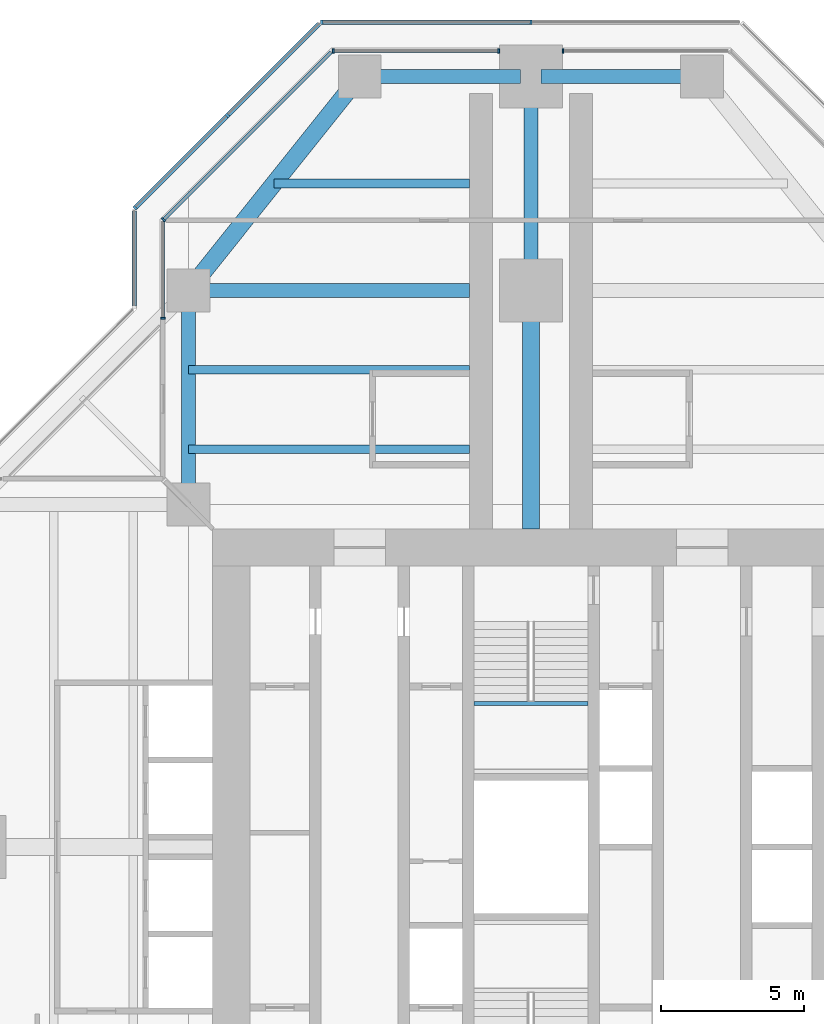
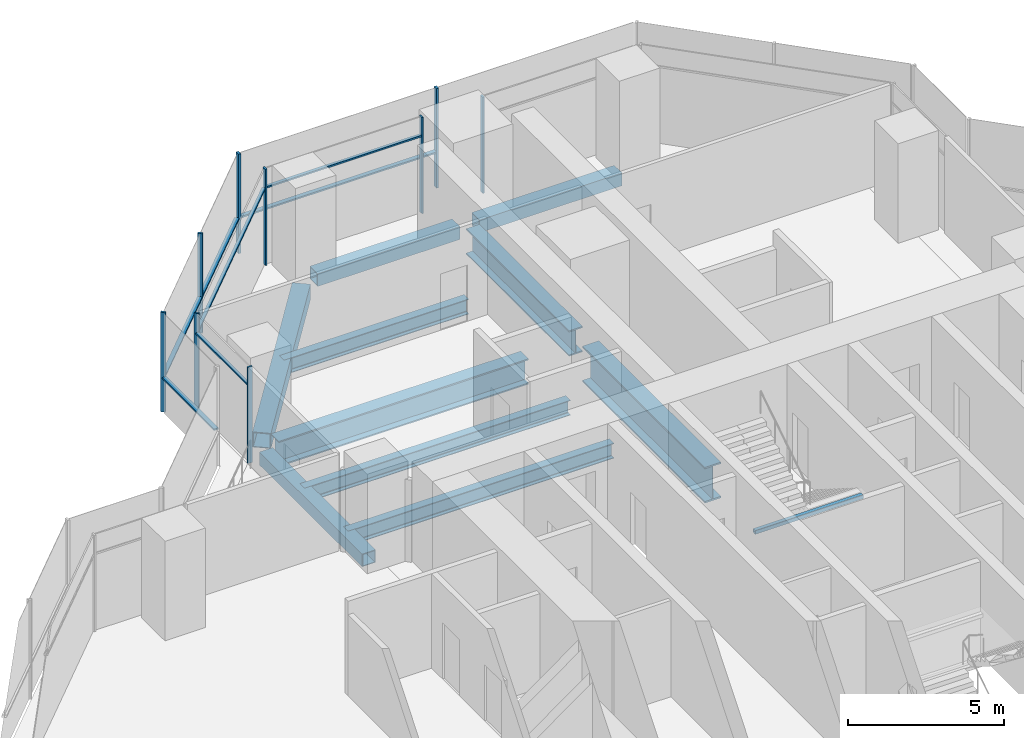
# One storey, part 7 of 17: 16 members, 11 beams, 7 elements without a shape of their own.
"""IFC4 building model written with IfcOpenShell, lengths in metres."""

from ifc_helpers import new_model, si_unit, direction, frame, origin, origin_2d, place, context, subcontext, project, spatial, rectangle, hollow_rectangle, i_section, extrude, material, material_profile, profile_set, type_object, element, aggregate, save


model = new_model("IFC4")

# Units and contexts
model_context = context("Model", 3, precision=1e-05, world=origin(), true_north=direction((0.0, 1.0)))
body_context = subcontext(model_context, "Body", "Model", "MODEL_VIEW")
ifc_project = project(units=[si_unit("LENGTHUNIT", "METRE"), si_unit("AREAUNIT", "SQUARE_METRE"), si_unit("VOLUMEUNIT", "CUBIC_METRE"), si_unit("PLANEANGLEUNIT", "RADIAN"), si_unit("MASSUNIT", "GRAM", prefix="KILO")], contexts=[model_context])

# Site, building, storey
site_placement = place(None, origin())
site = spatial("IfcSite", under=ifc_project, at=site_placement, CompositionType="ELEMENT")
building_placement = place(site_placement, origin())
building = spatial("IfcBuilding", under=site, at=building_placement, Name="Mizan Broadcast Tower", CompositionType="ELEMENT")
storey_placement = place(building_placement, frame((0.0, 0.0, 236.10009765625)))
storey = spatial("IfcBuildingStorey", under=building, at=storey_placement, Name="L55", CompositionType="ELEMENT", Elevation=236.10009765625)

# Beams
ifc_material_1 = material(Name="Steel S355", Category="steel")
ifc_material_profile_1 = material_profile(ifc_material_1, hollow_rectangle(XDim=0.5, YDim=0.5, WallThickness=0.030029296875, at=origin_2d()), Name="BOX 500x500x30")
ifc_profile_set_1 = profile_set([ifc_material_profile_1], Name="Steel S355")
beam_type_1 = type_object("IfcBeamType", Name="EDGE BEAM BOX 500x500x30", PredefinedType="SPANDREL", material=ifc_profile_set_1)
beam_1_placement = place(storey_placement, frame((5.639892578125, 27.0, -0.380126953125), z_axis=(-1.0, 0.0, 0.0), x_axis=(0.0, -1.0, 0.0)))
element("IfcBeam", 1, at=beam_1_placement, inside=storey, type_object=beam_type_1, Name="Edge beam BOX 500x500x30 L55 north arm", PredefinedType="SPANDREL", context=body_context, shape_type="SweptSolid", body=[
    extrude(hollow_rectangle(XDim=0.5, YDim=0.5, WallThickness=0.030029296875, at=origin_2d()), origin(), (0.0, 0.0, 1.0), 5.27978515625),
])
beam_2_placement = place(storey_placement, frame((-12.0, 12.449951171875, -0.380126953125), z_axis=(0.0, 1.0, 0.0), x_axis=(-1.0, 0.0, 0.0)))
element("IfcBeam", 2, at=beam_2_placement, inside=storey, type_object=beam_type_1, Name="Edge beam BOX 500x500x30 L55 north arm", PredefinedType="SPANDREL", context=body_context, shape_type="SweptSolid", body=[
    extrude(hollow_rectangle(XDim=0.5, YDim=0.5, WallThickness=0.030029296875, at=origin_2d()), origin(), (0.0, 0.0, 1.0), 6.60009765625),
])
beam_3_placement = place(storey_placement, frame((-5.639892578125, 27.0, -0.380126953125), z_axis=(1.0, 0.0, 0.0), x_axis=(0.0, 1.0, 0.0)))
element("IfcBeam", 3, at=beam_3_placement, inside=storey, type_object=beam_type_1, Name="Edge beam BOX 500x500x30 L55 north arm", PredefinedType="SPANDREL", context=body_context, shape_type="SweptSolid", body=[
    extrude(hollow_rectangle(XDim=0.5, YDim=0.5, WallThickness=0.030029296875, at=origin_2d()), origin(), (0.0, 0.0, 1.0), 5.27978515625),
])
ifc_material_2 = material(Name="Steel S355", Category="steel")
ifc_material_profile_2 = material_profile(ifc_material_2, hollow_rectangle(XDim=0.60009765625, YDim=0.60009765625, WallThickness=0.030029296875, at=origin_2d()), Name="BOX 600x600x30")
ifc_profile_set_2 = profile_set([ifc_material_profile_2], Name="Steel S355")
beam_type_2 = type_object("IfcBeamType", Name="EDGE BEAM BOX 600x600x30", PredefinedType="SPANDREL", material=ifc_profile_set_2)
beam_4_placement = place(storey_placement, frame((-11.639892578125, 19.949951171875, -0.43017578125), z_axis=(0.624673911726, 0.780885717636, 0.0), x_axis=(-0.780885717636, 0.624673911726, 0.0)))
element("IfcBeam", 4, at=beam_4_placement, inside=storey, type_object=beam_type_2, Name="Edge beam BOX 600x600x30 L55 north arm", PredefinedType="SPANDREL", context=body_context, shape_type="SweptSolid", body=[
    extrude(hollow_rectangle(XDim=0.60009765625, YDim=0.60009765625, WallThickness=0.030029296875, at=origin_2d()), origin(), (0.0, 0.0, 1.0), 8.4521484375),
])
ifc_material_3 = material(Name="Steel S460", Category="steel")
ifc_material_profile_3 = material_profile(ifc_material_3, i_section(OverallWidth=0.5, OverallDepth=1.0, WebThickness=0.02490234375, FlangeThickness=0.050048828125, at=origin_2d()), Name="WPG 1000x500")
ifc_profile_set_3 = profile_set([ifc_material_profile_3], Name="Steel S460")
beam_type_3 = type_object("IfcBeamType", Name="GIRDER WPG 1000x500", PredefinedType="BEAM", material=ifc_profile_set_3)
beam_5_placement = place(storey_placement, frame((0.0, 19.949951171875, -0.630126953125), z_axis=(0.0, 1.0, 0.0), x_axis=(-1.0, 0.0, 0.0)))
element("IfcBeam", 5, at=beam_5_placement, inside=storey, type_object=beam_type_3, Name="Girder WPG 1000x500 L55 north arm", PredefinedType="BEAM", context=body_context, shape_type="SweptSolid", body=[
    extrude(i_section(OverallWidth=0.5, OverallDepth=1.0, WebThickness=0.02490234375, FlangeThickness=0.050048828125, at=origin_2d()), origin(), (0.0, 0.0, 1.0), 6.60009765625),
])
beam_6_placement = place(storey_placement, frame((-11.408935546875, 19.5, -0.630126953125), z_axis=(1.0, 0.0, 0.0), x_axis=(0.0, 1.0, 0.0)))
element("IfcBeam", 6, at=beam_6_placement, inside=storey, type_object=beam_type_3, Name="Girder WPG 1000x500 L55 north arm", PredefinedType="BEAM", context=body_context, shape_type="SweptSolid", body=[
    extrude(i_section(OverallWidth=0.5, OverallDepth=1.0, WebThickness=0.02490234375, FlangeThickness=0.050048828125, at=origin_2d()), origin(), (0.0, 0.0, 1.0), 9.259033203125),
])
ifc_material_4 = material(Name="Steel S460", Category="steel")
ifc_material_profile_4 = material_profile(ifc_material_4, i_section(OverallWidth=0.60009765625, OverallDepth=1.39990234375, WebThickness=0.02490234375, FlangeThickness=0.06005859375, at=origin_2d()), Name="WPG 1400x600")
ifc_profile_set_4 = profile_set([ifc_material_profile_4], Name="Steel S460")
beam_type_4 = type_object("IfcBeamType", Name="GIRDER WPG 1400x600", PredefinedType="BEAM", material=ifc_profile_set_4)
beam_7_placement = place(storey_placement, frame((0.0, 11.14990234375, -0.830078125), z_axis=(0.0, 1.0, 0.0), x_axis=(-1.0, 0.0, 0.0)))
element("IfcBeam", 7, at=beam_7_placement, inside=storey, type_object=beam_type_4, Name="Girder WPG 1400x600 L55 north arm", PredefinedType="BEAM", context=body_context, shape_type="SweptSolid", body=[
    extrude(i_section(OverallWidth=0.60009765625, OverallDepth=1.39990234375, WebThickness=0.02490234375, FlangeThickness=0.06005859375, at=origin_2d()), origin(), (0.0, 0.0, 1.0), 7.84912109375),
])

# Curtain wall, member
ifc_material_5 = material(Name="Aluminium framed glazing", Category="aluminium")
curtain_wall_type_1 = type_object("IfcCurtainWallType", Name="INNER SKIN HIGH ZONE", PredefinedType="USERDEFINED", material=ifc_material_5)
curtain_wall_1_placement = place(storey_placement, origin())
curtain_wall_1 = element("IfcCurtainWall", 8, at=curtain_wall_1_placement, inside=storey, type_object=curtain_wall_type_1, Name="Inner skin high zone L55 N end", ObjectType="INNER SKIN HIGH ZONE", PredefinedType="USERDEFINED")
ifc_material_6 = material(Name="Aluminium, pale anodised", Category="aluminium")
ifc_material_profile_5 = material_profile(ifc_material_6, rectangle(XDim=0.159912109375, YDim=0.06005859375, at=origin_2d()), Name="MULLION 160x60")
ifc_profile_set_5 = profile_set([ifc_material_profile_5], Name="Aluminium, pale anodised")
member_type_1 = type_object("IfcMemberType", Name="INNER SKIN MULLION 60x160", PredefinedType="MULLION", material=ifc_profile_set_5)
member_1_placement = place(storey_placement, frame((1.1298828125, 27.89990234375, 0.0), z_axis=(0.0, 0.0, 1.0), x_axis=(0.0, -1.0, 0.0)))
member_1 = element("IfcMember", 9, at=member_1_placement, type_object=member_type_1, Name="Inner skin high zone L55 N end mullion 2", PredefinedType="MULLION", context=body_context, shape_type="SweptSolid", body=[
    extrude(rectangle(XDim=0.159912109375, YDim=0.06005859375, at=origin_2d()), origin(), (0.0, 0.0, 1.0), 3.77001953125),
])
aggregate(curtain_wall_1, [member_1])

# Curtain wall, members
curtain_wall_2_placement = place(storey_placement, origin())
curtain_wall_2 = element("IfcCurtainWall", 10, at=curtain_wall_2_placement, inside=storey, type_object=curtain_wall_type_1, Name="Inner skin high zone L55 N end", ObjectType="INNER SKIN HIGH ZONE", PredefinedType="USERDEFINED")
member_2_placement = place(storey_placement, frame((-1.1298828125, 27.89990234375, 0.0), z_axis=(0.0, 0.0, 1.0), x_axis=(0.0, -1.0, 0.0)))
member_2 = element("IfcMember", 11, at=member_2_placement, type_object=member_type_1, Name="Inner skin high zone L55 N end mullion 1", PredefinedType="MULLION", context=body_context, shape_type="SweptSolid", body=[
    extrude(rectangle(XDim=0.159912109375, YDim=0.06005859375, at=origin_2d()), origin(), (0.0, 0.0, 1.0), 3.77001953125),
])
member_3_placement = place(storey_placement, frame((-6.928466796875, 27.89990234375, 0.0), z_axis=(0.0, 0.0, 1.0), x_axis=(0.0, -1.0, 0.0)))
member_3 = element("IfcMember", 12, at=member_3_placement, type_object=member_type_1, Name="Inner skin high zone L55 N end mullion 2", PredefinedType="MULLION", context=body_context, shape_type="SweptSolid", body=[
    extrude(rectangle(XDim=0.159912109375, YDim=0.06005859375, at=origin_2d()), origin(), (0.0, 0.0, 1.0), 3.77001953125),
])

# Curtain wall, member
curtain_wall_3_placement = place(storey_placement, origin())
curtain_wall_3 = element("IfcCurtainWall", 13, at=curtain_wall_3_placement, inside=storey, type_object=curtain_wall_type_1, Name="Inner skin high zone L55 N chamfer", ObjectType="INNER SKIN HIGH ZONE", PredefinedType="USERDEFINED")
member_4_placement = place(storey_placement, frame((-12.87890625, 21.979736328125, 0.0), z_axis=(0.0, 0.0, 1.0), x_axis=(0.707106781187, -0.707106781187, 0.0)))
member_4 = element("IfcMember", 14, at=member_4_placement, type_object=member_type_1, Name="Inner skin high zone L55 N chamfer mullion 2", PredefinedType="MULLION", context=body_context, shape_type="SweptSolid", body=[
    extrude(rectangle(XDim=0.159912109375, YDim=0.06005859375, at=origin_2d()), origin(), (0.0, 0.0, 1.0), 3.77001953125),
])

curtain_wall_4_placement = place(storey_placement, origin())
curtain_wall_4 = element("IfcCurtainWall", 15, at=curtain_wall_4_placement, inside=storey, type_object=curtain_wall_type_1, Name="Inner skin high zone L55 N side", ObjectType="INNER SKIN HIGH ZONE", PredefinedType="USERDEFINED")
member_5_placement = place(storey_placement, frame((-12.89990234375, 18.530029296875, 0.0), z_axis=(0.0, 0.0, 1.0), x_axis=(1.0, 0.0, 0.0)))
member_5 = element("IfcMember", 16, at=member_5_placement, type_object=member_type_1, Name="Inner skin high zone L55 N side mullion 2", PredefinedType="MULLION", context=body_context, shape_type="SweptSolid", body=[
    extrude(rectangle(XDim=0.159912109375, YDim=0.06005859375, at=origin_2d()), origin(), (0.0, 0.0, 1.0), 3.77001953125),
])

# Member
ifc_material_7 = material(Name="Aluminium, pale anodised", Category="aluminium")
ifc_material_profile_6 = material_profile(ifc_material_7, rectangle(XDim=0.1201171875, YDim=0.06005859375, at=origin_2d()), Name="TRANSOM 120x60")
ifc_profile_set_6 = profile_set([ifc_material_profile_6], Name="Aluminium, pale anodised")
member_type_2 = type_object("IfcMemberType", Name="INNER SKIN TRANSOM 60x120", PredefinedType="USERDEFINED", material=ifc_profile_set_6)
member_6_placement = place(storey_placement, frame((-1.159912109375, 27.89990234375, 3.02978515625), z_axis=(-1.0, 0.0, 0.0), x_axis=(0.0, -1.0, 0.0)))
member_6 = element("IfcMember", 17, at=member_6_placement, type_object=member_type_2, Name="Inner skin high zone L55 N end transom 1.1", ObjectType="TRANSOM", PredefinedType="USERDEFINED", context=body_context, shape_type="SweptSolid", body=[
    extrude(rectangle(XDim=0.1201171875, YDim=0.06005859375, at=origin_2d()), origin(), (0.0, 0.0, 1.0), 5.73876953125),
])

aggregate(curtain_wall_2, [member_2, member_3, member_6])

member_7_placement = place(storey_placement, frame((-7.0009765625, 27.857666015625, 3.02978515625), z_axis=(-0.707106781187, -0.707106781187, 0.0), x_axis=(0.707106781187, -0.707106781187, 0.0)))
member_7 = element("IfcMember", 18, at=member_7_placement, type_object=member_type_2, Name="Inner skin high zone L55 N chamfer transom 1.1", ObjectType="TRANSOM", PredefinedType="USERDEFINED", context=body_context, shape_type="SweptSolid", body=[
    extrude(rectangle(XDim=0.1201171875, YDim=0.06005859375, at=origin_2d()), origin(), (0.0, 0.0, 1.0), 8.28271484375),
])

aggregate(curtain_wall_3, [member_4, member_7])

member_8_placement = place(storey_placement, frame((-12.89990234375, 21.898681640625, 3.02978515625), z_axis=(0.0, -1.0, 0.0), x_axis=(1.0, 0.0, 0.0)))
member_8 = element("IfcMember", 19, at=member_8_placement, type_object=member_type_2, Name="Inner skin high zone L55 N side transom 1.1", ObjectType="TRANSOM", PredefinedType="USERDEFINED", context=body_context, shape_type="SweptSolid", body=[
    extrude(rectangle(XDim=0.1201171875, YDim=0.06005859375, at=origin_2d()), origin(), (0.0, 0.0, 1.0), 3.338623046875),
])

aggregate(curtain_wall_4, [member_5, member_8])

# Beam
ifc_material_8 = material(Name="Steel S355", Category="steel")
ifc_material_profile_7 = material_profile(ifc_material_8, hollow_rectangle(XDim=0.14990234375, YDim=0.14990234375, WallThickness=0.008056640625, InnerFilletRadius=0.008056640625, OuterFilletRadius=0.011962890625, at=origin_2d()), Name="SHS 150x150x8")
ifc_profile_set_7 = profile_set([ifc_material_profile_7], Name="Steel S355")
beam_type_5 = type_object("IfcBeamType", Name="LANDING TRIMMER SHS 150x150x8", PredefinedType="BEAM", material=ifc_profile_set_7)
beam_8_placement = place(storey_placement, frame((2.0, 5.02490234375, 1.6748046875), z_axis=(-1.0, 0.0, 0.0), x_axis=(0.0, -1.0, 0.0)))
element("IfcBeam", 20, at=beam_8_placement, inside=storey, type_object=beam_type_5, Name="Stair B landing trimmer L55", PredefinedType="BEAM", context=body_context, shape_type="SweptSolid", body=[
    extrude(hollow_rectangle(XDim=0.14990234375, YDim=0.14990234375, WallThickness=0.008056640625, InnerFilletRadius=0.008056640625, OuterFilletRadius=0.011962890625, at=origin_2d()), origin(), (0.0, 0.0, 1.0), 4.0),
])

# Curtain wall, members
ifc_material_9 = material(Name="Aluminium framed glazing", Category="aluminium")
curtain_wall_type_2 = type_object("IfcCurtainWallType", Name="OUTER SKIN", PredefinedType="USERDEFINED", material=ifc_material_9)
curtain_wall_5_placement = place(storey_placement, origin())
curtain_wall_5 = element("IfcCurtainWall", 21, at=curtain_wall_5_placement, inside=storey, type_object=curtain_wall_type_2, Name="Outer skin L55 N end", ObjectType="OUTER SKIN", PredefinedType="USERDEFINED")
ifc_material_10 = material(Name="Aluminium, pale anodised", Category="aluminium")
ifc_material_profile_8 = material_profile(ifc_material_10, rectangle(XDim=0.159912109375, YDim=0.080078125, at=origin_2d()), Name="MULLION 160x80")
ifc_profile_set_8 = profile_set([ifc_material_profile_8], Name="Aluminium, pale anodised")
member_type_3 = type_object("IfcMemberType", Name="OUTER SKIN MULLION 80x160", PredefinedType="MULLION", material=ifc_profile_set_8)
member_9_placement = place(storey_placement, frame((0.0, 28.89990234375, 0.0), z_axis=(0.0, 0.0, 1.0), x_axis=(0.0, -1.0, 0.0)))
member_9 = element("IfcMember", 22, at=member_9_placement, type_object=member_type_3, Name="Outer skin L55 N end mullion 2", PredefinedType="MULLION", context=body_context, shape_type="SweptSolid", body=[
    extrude(rectangle(XDim=0.159912109375, YDim=0.080078125, at=origin_2d()), origin(), (0.0, 0.0, 1.0), 3.89990234375),
])
member_10_placement = place(storey_placement, frame((-7.332763671875, 28.89990234375, 0.0), z_axis=(0.0, 0.0, 1.0), x_axis=(0.0, -1.0, 0.0)))
member_10 = element("IfcMember", 23, at=member_10_placement, type_object=member_type_3, Name="Outer skin L55 N end mullion 3", PredefinedType="MULLION", context=body_context, shape_type="SweptSolid", body=[
    extrude(rectangle(XDim=0.159912109375, YDim=0.080078125, at=origin_2d()), origin(), (0.0, 0.0, 1.0), 3.89990234375),
])

curtain_wall_6_placement = place(storey_placement, origin())
curtain_wall_6 = element("IfcCurtainWall", 24, at=curtain_wall_6_placement, inside=storey, type_object=curtain_wall_type_2, Name="Outer skin L55 N chamfer", ObjectType="OUTER SKIN", PredefinedType="USERDEFINED")
member_11_placement = place(storey_placement, frame((-10.636474609375, 25.636474609375, 0.0), z_axis=(0.0, 0.0, 1.0), x_axis=(0.707106781187, -0.707106781187, 0.0)))
member_11 = element("IfcMember", 25, at=member_11_placement, type_object=member_type_3, Name="Outer skin L55 N chamfer mullion 2", PredefinedType="MULLION", context=body_context, shape_type="SweptSolid", body=[
    extrude(rectangle(XDim=0.159912109375, YDim=0.080078125, at=origin_2d()), origin(), (0.0, 0.0, 1.0), 3.89990234375),
])
member_12_placement = place(storey_placement, frame((-13.871826171875, 22.401123046875, 0.0), z_axis=(0.0, 0.0, 1.0), x_axis=(0.707106781187, -0.707106781187, 0.0)))
member_12 = element("IfcMember", 26, at=member_12_placement, type_object=member_type_3, Name="Outer skin L55 N chamfer mullion 3", PredefinedType="MULLION", context=body_context, shape_type="SweptSolid", body=[
    extrude(rectangle(XDim=0.159912109375, YDim=0.080078125, at=origin_2d()), origin(), (0.0, 0.0, 1.0), 3.89990234375),
])

# Member
ifc_material_11 = material(Name="Aluminium, pale anodised", Category="aluminium")
ifc_material_profile_9 = material_profile(ifc_material_11, rectangle(XDim=0.159912109375, YDim=0.06005859375, at=origin_2d()), Name="TRANSOM 160x60")
ifc_profile_set_9 = profile_set([ifc_material_profile_9], Name="Aluminium, pale anodised")
member_type_4 = type_object("IfcMemberType", Name="OUTER SKIN TRANSOM 60x160", PredefinedType="USERDEFINED", material=ifc_profile_set_9)
member_13_placement = place(storey_placement, frame((-0.0400390625, 28.89990234375, 1.39990234375), z_axis=(-1.0, 0.0, 0.0), x_axis=(0.0, -1.0, 0.0)))
member_13 = element("IfcMember", 27, at=member_13_placement, type_object=member_type_4, Name="Outer skin L55 N end transom 2.1", ObjectType="TRANSOM", PredefinedType="USERDEFINED", context=body_context, shape_type="SweptSolid", body=[
    extrude(rectangle(XDim=0.159912109375, YDim=0.06005859375, at=origin_2d()), origin(), (0.0, 0.0, 1.0), 7.252685546875),
])

aggregate(curtain_wall_5, [member_9, member_10, member_13])

member_14_placement = place(storey_placement, frame((-7.429443359375, 28.843505859375, 1.39990234375), z_axis=(-0.707106781187, -0.707106781187, 0.0), x_axis=(0.707106781187, -0.707106781187, 0.0)))
member_14 = element("IfcMember", 28, at=member_14_placement, type_object=member_type_4, Name="Outer skin L55 N chamfer transom 1.1", ObjectType="TRANSOM", PredefinedType="USERDEFINED", context=body_context, shape_type="SweptSolid", body=[
    extrude(rectangle(XDim=0.159912109375, YDim=0.06005859375, at=origin_2d()), origin(), (0.0, 0.0, 1.0), 4.495361328125),
])

member_15_placement = place(storey_placement, frame((-10.664794921875, 25.608154296875, 1.39990234375), z_axis=(-0.707106781187, -0.707106781187, 0.0), x_axis=(0.707106781187, -0.707106781187, 0.0)))
member_15 = element("IfcMember", 29, at=member_15_placement, type_object=member_type_4, Name="Outer skin L55 N chamfer transom 2.1", ObjectType="TRANSOM", PredefinedType="USERDEFINED", context=body_context, shape_type="SweptSolid", body=[
    extrude(rectangle(XDim=0.159912109375, YDim=0.06005859375, at=origin_2d()), origin(), (0.0, 0.0, 1.0), 4.495361328125),
])

aggregate(curtain_wall_6, [member_11, member_12, member_14, member_15])

# Curtain wall, member
curtain_wall_7_placement = place(storey_placement, origin())
curtain_wall_7 = element("IfcCurtainWall", 30, at=curtain_wall_7_placement, inside=storey, type_object=curtain_wall_type_2, Name="Outer skin L55 N side", ObjectType="OUTER SKIN", PredefinedType="USERDEFINED")
member_16_placement = place(storey_placement, frame((-13.89990234375, 22.292724609375, 1.39990234375), z_axis=(0.0, -1.0, 0.0), x_axis=(1.0, 0.0, 0.0)))
member_16 = element("IfcMember", 31, at=member_16_placement, type_object=member_type_4, Name="Outer skin L55 N side transom 1.1", ObjectType="TRANSOM", PredefinedType="USERDEFINED", context=body_context, shape_type="SweptSolid", body=[
    extrude(rectangle(XDim=0.159912109375, YDim=0.06005859375, at=origin_2d()), origin(), (0.0, 0.0, 1.0), 3.33984375),
])
aggregate(curtain_wall_7, [member_16])

# Beams
ifc_material_12 = material(Name="Steel S355", Category="steel")
ifc_material_profile_10 = material_profile(ifc_material_12, i_section(OverallWidth=0.300048828125, OverallDepth=0.590087890625, WebThickness=0.012939453125, FlangeThickness=0.02490234375, FilletRadius=0.027099609375, at=origin_2d()), Name="HEA 600")
ifc_profile_set_10 = profile_set([ifc_material_profile_10], Name="Steel S355")
beam_type_6 = type_object("IfcBeamType", Name="SECONDARY BEAM HEA 600", PredefinedType="JOIST", material=ifc_profile_set_10)
for number, where, z_axis, x_axis, name in (
    (32, (-12.0, 13.933349609375, -0.425048828125), (1.0, 0.0, 0.0), (0.0, 1.0, 0.0), "Secondary beam HEA 600 L55 north arm"),
    (33, (-12.0, 16.716552734375, -0.425048828125), (1.0, 0.0, 0.0), (0.0, 1.0, 0.0), "Secondary beam HEA 600 L55 north arm"),
):
    element("IfcBeam", number, at=place(storey_placement, frame(where, z_axis=z_axis, x_axis=x_axis)), inside=storey, type_object=beam_type_6, Name=name, PredefinedType="JOIST", context=body_context, shape_type="SweptSolid", body=[
        extrude(i_section(OverallWidth=0.300048828125, OverallDepth=0.590087890625, WebThickness=0.012939453125, FlangeThickness=0.02490234375, FilletRadius=0.027099609375, at=origin_2d()), origin(), (0.0, 0.0, 1.0), 9.85009765625),
    ])
beam_9_placement = place(storey_placement, frame((-9.0, 23.25, -0.425048828125), z_axis=(1.0, 0.0, 0.0), x_axis=(0.0, 1.0, 0.0)))
element("IfcBeam", 34, at=beam_9_placement, inside=storey, type_object=beam_type_6, Name="Secondary beam HEA 600 L55 north arm", PredefinedType="JOIST", context=body_context, shape_type="SweptSolid", body=[
    extrude(i_section(OverallWidth=0.300048828125, OverallDepth=0.590087890625, WebThickness=0.012939453125, FlangeThickness=0.02490234375, FilletRadius=0.027099609375, at=origin_2d()), origin(), (0.0, 0.0, 1.0), 6.85009765625),
])

save(model, "model.ifc")
